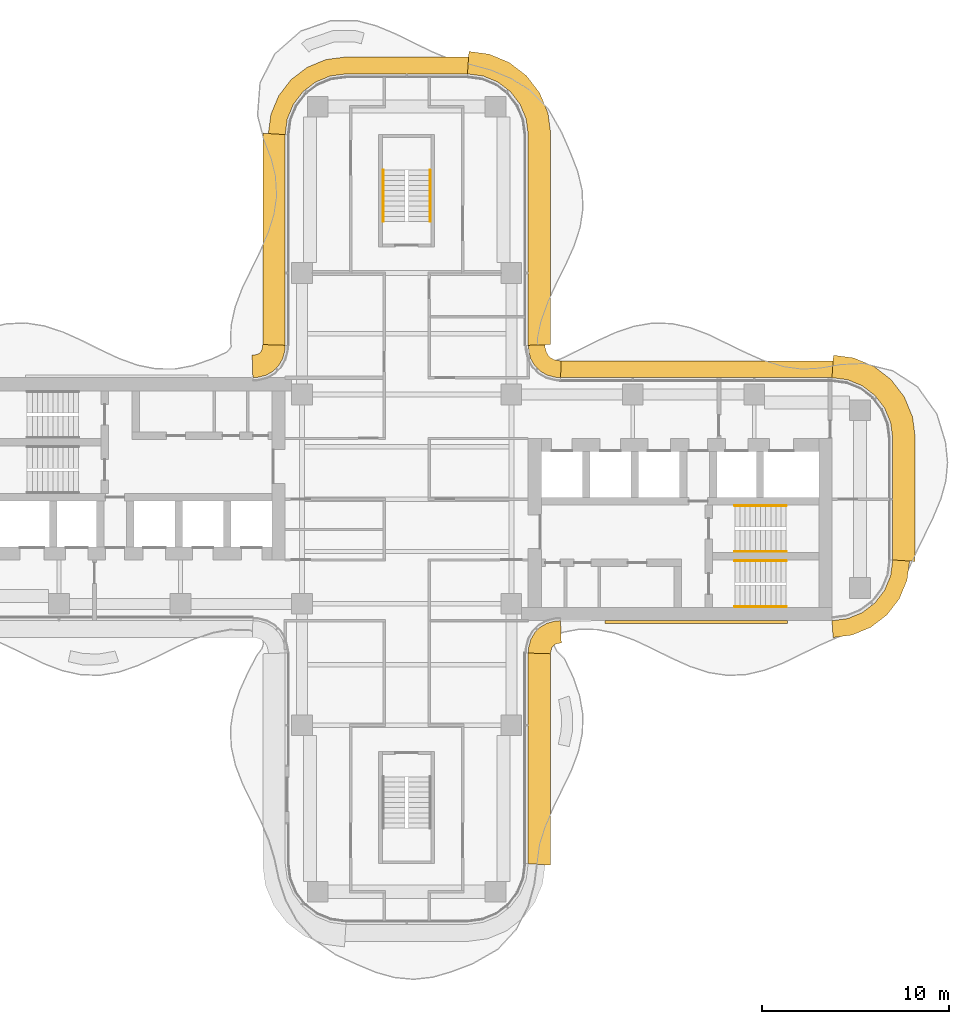
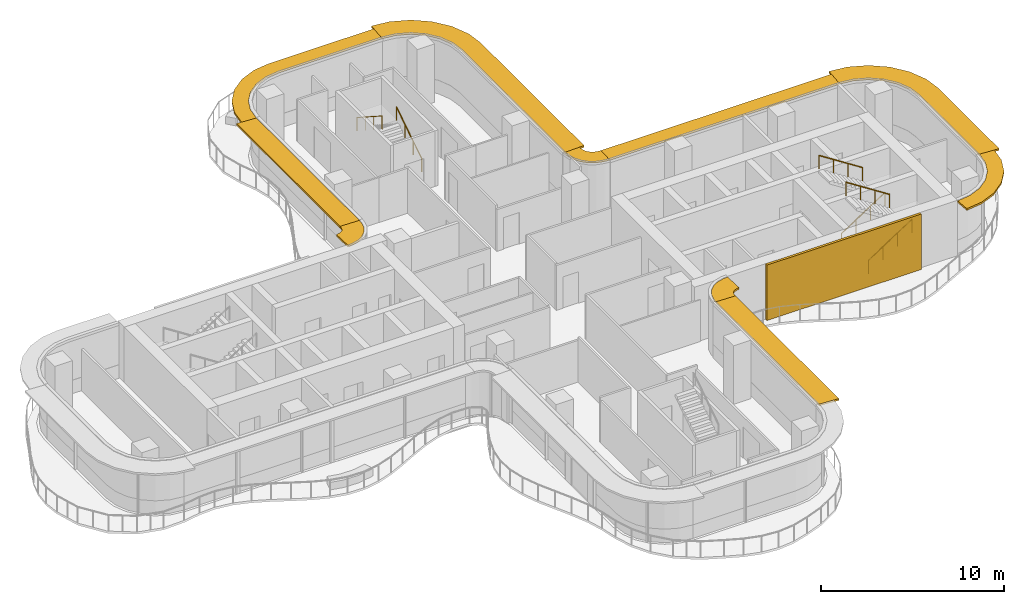
# One storey, part 16 of 16: 10 shading devices, 6 railings, 1 covering.
"""IFC4 building model written with IfcOpenShell, lengths in metres."""

from ifc_helpers import new_model, si_unit, direction, frame, origin, origin_2d, place, context, subcontext, project, spatial, polyline, circle, outline, extrude, source, transform, mapped, material, layer, layer_set, type_object, element, save


model = new_model("IFC4")

# Units and contexts
model_context = context("Model", 3, precision=1e-05, world=origin(), true_north=direction((0.0, 1.0)))
body_context = subcontext(model_context, "Body", "Model", "MODEL_VIEW")
ifc_project = project(units=[si_unit("LENGTHUNIT", "METRE"), si_unit("AREAUNIT", "SQUARE_METRE"), si_unit("VOLUMEUNIT", "CUBIC_METRE"), si_unit("PLANEANGLEUNIT", "RADIAN"), si_unit("MASSUNIT", "GRAM", prefix="KILO")], contexts=[model_context])

# Site, building, storey
site_placement = place(None, origin())
site = spatial("IfcSite", under=ifc_project, at=site_placement, CompositionType="ELEMENT")
building_placement = place(site_placement, origin())
building = spatial("IfcBuilding", under=site, at=building_placement, Name="Trellis Farm Tower", CompositionType="ELEMENT")
storey_placement = place(building_placement, frame((0.0, 0.0, 248.0)))
storey = spatial("IfcBuildingStorey", under=building, at=storey_placement, Name="L55", CompositionType="ELEMENT", Elevation=248.0)

# Railings
ifc_material_1 = material(Name="Stainless steel", Category="steel")
railing_type = type_object("IfcRailingType", Name="STAIR HANDRAIL 900", PredefinedType="HANDRAIL", material=ifc_material_1)
shared_shape_1 = source(origin(), body_context, "Body", "SweptSolid", [
    extrude(circle(Radius=0.02392578125, at=origin_2d()), frame((0.0, 0.0, 0.8759765625), z_axis=(0.0, 0.840503830235, 0.541805602924), x_axis=(-1.0, 0.0, 0.0)), (0.0, 0.0, 1.0), 3.271728515625),
    extrude(circle(Radius=0.02099609375, at=origin_2d()), origin(), (0.0, 0.0, 1.0), 0.851806640625),
    extrude(circle(Radius=0.02099609375, at=origin_2d()), frame((0.0, 0.916748046875, 0.5908203125)), (0.0, 0.0, 1.0), 0.851806640625),
    extrude(circle(Radius=0.02099609375, at=origin_2d()), frame((0.0, 1.833251953125, 1.181884765625)), (0.0, 0.0, 1.0), 0.851806640625),
    extrude(circle(Radius=0.02099609375, at=origin_2d()), frame((0.0, 2.75, 1.772705078125)), (0.0, 0.0, 1.0), 0.851806640625),
])
railing_1_placement = place(storey_placement, frame((1.25, 14.85009765625, 0.17724609375)))
element("IfcRailing", 1, at=railing_1_placement, inside=storey, type_object=railing_type, Name="Stair handrail", PredefinedType="HANDRAIL", context=body_context, shape_type="MappedRepresentation", body=[
    mapped(shared_shape_1, transform((0.0, 0.0, 0.0))),
])
shared_shape_2 = source(origin(), body_context, "Body", "SweptSolid", [
    extrude(circle(Radius=0.02392578125, at=origin_2d()), frame((0.0, 0.0, 0.8759765625), z_axis=(0.0, -0.840503830235, 0.541805602924), x_axis=(1.0, 0.0, 0.0)), (0.0, 0.0, 1.0), 3.271728515625),
    extrude(circle(Radius=0.02099609375, at=origin_2d()), origin(), (0.0, 0.0, 1.0), 0.851806640625),
    extrude(circle(Radius=0.02099609375, at=origin_2d()), frame((0.0, -0.916748046875, 0.5908203125)), (0.0, 0.0, 1.0), 0.851806640625),
    extrude(circle(Radius=0.02099609375, at=origin_2d()), frame((0.0, -1.833251953125, 1.181884765625)), (0.0, 0.0, 1.0), 0.851806640625),
    extrude(circle(Radius=0.02099609375, at=origin_2d()), frame((0.0, -2.75, 1.772705078125)), (0.0, 0.0, 1.0), 0.851806640625),
])
railing_2_placement = place(storey_placement, frame((-1.25, 17.60009765625, 2.127197265625)))
element("IfcRailing", 2, at=railing_2_placement, inside=storey, type_object=railing_type, Name="Stair handrail", PredefinedType="HANDRAIL", context=body_context, shape_type="MappedRepresentation", body=[
    mapped(shared_shape_2, transform((0.0, 0.0, 0.0))),
])
shared_shape_3 = source(origin(), body_context, "Body", "SweptSolid", [
    extrude(circle(Radius=0.02392578125, at=origin_2d()), frame((0.0, 0.0, 0.8759765625), z_axis=(0.840503830235, 0.0, 0.541805602924), x_axis=(0.0, 1.0, 0.0)), (0.0, 0.0, 1.0), 3.271728515625),
    extrude(circle(Radius=0.02099609375, at=origin_2d()), origin(), (0.0, 0.0, 1.0), 0.851806640625),
    extrude(circle(Radius=0.02099609375, at=origin_2d()), frame((0.916748046875, 0.0, 0.5908203125)), (0.0, 0.0, 1.0), 0.851806640625),
    extrude(circle(Radius=0.02099609375, at=origin_2d()), frame((1.833251953125, 0.0, 1.181884765625)), (0.0, 0.0, 1.0), 0.851806640625),
    extrude(circle(Radius=0.02099609375, at=origin_2d()), frame((2.75, 0.0, 1.772705078125)), (0.0, 0.0, 1.0), 0.851806640625),
])
for number, where, name in (
    (3, (17.550048828125, -5.75, 0.17724609375), "Stair handrail"),
    (4, (17.550048828125, -2.800048828125, 0.17724609375), "Stair handrail"),
):
    element("IfcRailing", number, at=place(storey_placement, frame(where)), inside=storey, type_object=railing_type, Name=name, PredefinedType="HANDRAIL", context=body_context, shape_type="MappedRepresentation", body=[
        mapped(shared_shape_3, transform((0.0, 0.0, 0.0))),
    ])
shared_shape_4 = source(origin(), body_context, "Body", "SweptSolid", [
    extrude(circle(Radius=0.02392578125, at=origin_2d()), frame((0.0, 0.0, 0.8759765625), z_axis=(-0.840503830235, 0.0, 0.541805602924), x_axis=(0.0, -1.0, 0.0)), (0.0, 0.0, 1.0), 3.271728515625),
    extrude(circle(Radius=0.02099609375, at=origin_2d()), origin(), (0.0, 0.0, 1.0), 0.851806640625),
    extrude(circle(Radius=0.02099609375, at=origin_2d()), frame((-0.916748046875, 0.0, 0.5908203125)), (0.0, 0.0, 1.0), 0.851806640625),
    extrude(circle(Radius=0.02099609375, at=origin_2d()), frame((-1.833251953125, 0.0, 1.181884765625)), (0.0, 0.0, 1.0), 0.851806640625),
    extrude(circle(Radius=0.02099609375, at=origin_2d()), frame((-2.75, 0.0, 1.772705078125)), (0.0, 0.0, 1.0), 0.851806640625),
])
for number, where, name in (
    (5, (20.300048828125, -3.300048828125, 2.127197265625), "Stair handrail"),
    (6, (20.300048828125, -0.35009765625, 2.127197265625), "Stair handrail"),
):
    element("IfcRailing", number, at=place(storey_placement, frame(where)), inside=storey, type_object=railing_type, Name=name, PredefinedType="HANDRAIL", context=body_context, shape_type="MappedRepresentation", body=[
        mapped(shared_shape_4, transform((0.0, 0.0, 0.0))),
    ])

# Shading devices
ifc_material_2 = material(Name="Aluminium extrusion 6063-T6", Category="aluminium")
ifc_layer_1 = layer(ifc_material_2, 0.1201171875)
ifc_layer_set_1 = layer_set([ifc_layer_1], Name="SUNSHADE BLADE 1200")
shading_device_type_1 = type_object("IfcShadingDeviceType", Name="SUNSHADE BLADE 1200", PredefinedType="USERDEFINED", material=ifc_layer_set_1)
shared_shape_5 = source(origin(), body_context, "Body", "SweptSolid", [
    extrude(outline(polyline([(7.699951171875, -8.270751953125), (7.708740234375, -8.13720703125), (7.70703125, -8.150146484375), (7.7548828125, -7.9716796875), (7.80712890625, -7.881103515625), (7.881103515625, -7.80712890625), (7.9716796875, -7.7548828125), (8.150146484375, -7.70703125), (8.13720703125, -7.708740234375), (8.270751953125, -7.699951171875), (8.2314453125, -6.5), (8.01953125, -6.513916015625), (7.91552734375, -6.527587890625), (7.508544921875, -6.63671875), (7.144287109375, -6.846923828125), (6.846923828125, -7.144287109375), (6.63671875, -7.508544921875), (6.527587890625, -7.91552734375), (6.513916015625, -8.01953125), (6.5, -8.2314453125), (7.699951171875, -8.270751953125)])), origin(), (0.0, 0.0, 1.0), 0.119873046875),
])
placement = place(storey_placement, frame((0.0, 0.0, 3.5400390625)))
element("IfcShadingDevice", 7, at=placement, inside=storey, type_object=shading_device_type_1, Name="SD2 006", ObjectType="SUNSHADE", PredefinedType="USERDEFINED", context=body_context, shape_type="MappedRepresentation", body=[
    mapped(shared_shape_5, transform((0.0, 0.0, 0.0))),
])
ifc_layer_2 = layer(ifc_material_2, 0.1201171875)
ifc_layer_set_2 = layer_set([ifc_layer_2], Name="SUNSHADE BLADE 900")
shading_device_type_2 = type_object("IfcShadingDeviceType", Name="SUNSHADE BLADE 900", PredefinedType="USERDEFINED", material=ifc_layer_set_2)
shared_shape_6 = source(origin(), body_context, "Body", "SweptSolid", [
    extrude(outline(polyline([(8.2607421875, 7.39990234375), (8.107666015625, 7.409912109375), (8.091552734375, 7.412109375), (7.85595703125, 7.475341796875), (7.697021484375, 7.567138671875), (7.567138671875, 7.697021484375), (7.475341796875, 7.85595703125), (7.412109375, 8.091552734375), (7.409912109375, 8.107666015625), (7.39990234375, 8.2607421875), (6.5, 8.2314453125), (6.513916015625, 8.01953125), (6.527587890625, 7.91552734375), (6.63671875, 7.508544921875), (6.846923828125, 7.144287109375), (7.144287109375, 6.846923828125), (7.508544921875, 6.63671875), (7.91552734375, 6.527587890625), (8.01953125, 6.513916015625), (8.2314453125, 6.5), (8.2607421875, 7.39990234375)])), origin(), (0.0, 0.0, 1.0), 0.119873046875),
])
element("IfcShadingDevice", 8, at=placement, inside=storey, type_object=shading_device_type_2, Name="SD1 010", ObjectType="SUNSHADE", PredefinedType="USERDEFINED", context=body_context, shape_type="MappedRepresentation", body=[
    mapped(shared_shape_6, transform((0.0, 0.0, 0.0))),
])
shared_shape_7 = source(origin(), body_context, "Body", "SweptSolid", [
    extrude(outline(polyline([(-7.699951171875, 8.270751953125), (-7.708740234375, 8.13720703125), (-7.70703125, 8.150146484375), (-7.7548828125, 7.9716796875), (-7.80712890625, 7.881103515625), (-7.881103515625, 7.80712890625), (-7.9716796875, 7.7548828125), (-8.150146484375, 7.70703125), (-8.13720703125, 7.708740234375), (-8.270751953125, 7.699951171875), (-8.2314453125, 6.5), (-8.01953125, 6.513916015625), (-7.91552734375, 6.527587890625), (-7.508544921875, 6.63671875), (-7.144287109375, 6.846923828125), (-6.846923828125, 7.144287109375), (-6.63671875, 7.508544921875), (-6.527587890625, 7.91552734375), (-6.513916015625, 8.01953125), (-6.5, 8.2314453125), (-7.699951171875, 8.270751953125)])), origin(), (0.0, 0.0, 1.0), 0.119873046875),
])
element("IfcShadingDevice", 9, at=placement, inside=storey, type_object=shading_device_type_1, Name="SD2 014", ObjectType="SUNSHADE", PredefinedType="USERDEFINED", context=body_context, shape_type="MappedRepresentation", body=[
    mapped(shared_shape_7, transform((0.0, 0.0, 0.0))),
])
shared_shape_8 = source(origin(), body_context, "Body", "SweptSolid", [
    extrude(outline(polyline([(7.699951171875, 8.270751953125), (7.699951171875, 19.57861328125), (7.558349609375, 20.654541015625), (7.11279296875, 21.730224609375), (6.404052734375, 22.654052734375), (5.480224609375, 23.36279296875), (4.404541015625, 23.808349609375), (3.32861328125, 23.949951171875), (3.25, 22.75), (4.091064453125, 22.63916015625), (4.875, 22.314697265625), (5.548095703125, 21.798095703125), (6.064697265625, 21.125), (6.38916015625, 20.341064453125), (6.5, 19.5), (6.5, 8.2314453125), (7.699951171875, 8.270751953125)])), origin(), (0.0, 0.0, 1.0), 0.119873046875),
])
element("IfcShadingDevice", 10, at=placement, inside=storey, type_object=shading_device_type_1, Name="SD2 011", ObjectType="SUNSHADE", PredefinedType="USERDEFINED", context=body_context, shape_type="MappedRepresentation", body=[
    mapped(shared_shape_8, transform((0.0, 0.0, 0.0))),
])
shared_shape_9 = source(origin(), body_context, "Body", "SweptSolid", [
    extrude(outline(polyline([(3.30908203125, 23.64990234375), (-3.30908203125, 23.64990234375), (-4.326171875, 23.51611328125), (-5.328857421875, 23.100830078125), (-6.18994140625, 22.43994140625), (-6.850830078125, 21.578857421875), (-7.26611328125, 20.576171875), (-7.39990234375, 19.55908203125), (-6.5, 19.5), (-6.38916015625, 20.341064453125), (-6.064697265625, 21.125), (-5.548095703125, 21.798095703125), (-4.875, 22.314697265625), (-4.091064453125, 22.63916015625), (-3.25, 22.75), (3.25, 22.75), (3.30908203125, 23.64990234375)])), origin(), (0.0, 0.0, 1.0), 0.119873046875),
])
element("IfcShadingDevice", 11, at=placement, inside=storey, type_object=shading_device_type_2, Name="SD1 012", ObjectType="SUNSHADE", PredefinedType="USERDEFINED", context=body_context, shape_type="MappedRepresentation", body=[
    mapped(shared_shape_9, transform((0.0, 0.0, 0.0))),
])
shared_shape_10 = source(origin(), body_context, "Body", "SweptSolid", [
    extrude(outline(polyline([(-7.699951171875, 19.57861328125), (-7.699951171875, 8.270751953125), (-6.5, 8.2314453125), (-6.5, 19.5), (-7.699951171875, 19.57861328125)])), origin(), (0.0, 0.0, 1.0), 0.119873046875),
])
element("IfcShadingDevice", 12, at=placement, inside=storey, type_object=shading_device_type_1, Name="SD2 013", ObjectType="SUNSHADE", PredefinedType="USERDEFINED", context=body_context, shape_type="MappedRepresentation", body=[
    mapped(shared_shape_10, transform((0.0, 0.0, 0.0))),
])

# Covering
ifc_material_3 = material(Name="Perforated precast screen (cobogo)", Category="concrete")
ifc_layer_3 = layer(ifc_material_3, 0.14990234375)
ifc_layer_set_3 = layer_set([ifc_layer_3], Name="COBOGO SCREEN PANEL")
covering_type = type_object("IfcCoveringType", Name="COBOGO SCREEN PANEL", PredefinedType="USERDEFINED", material=ifc_layer_set_3)
shared_shape_11 = source(origin(), body_context, "Body", "SweptSolid", [
    extrude(outline(polyline([(10.61572265625, -6.64990234375), (20.36572265625, -6.64990234375), (20.36572265625, -6.5), (10.61572265625, -6.5), (10.61572265625, -6.64990234375)])), origin(), (0.0, 0.0, 1.0), 3.699951171875),
])
covering_placement = place(storey_placement, origin())
element("IfcCovering", 13, at=covering_placement, inside=storey, type_object=covering_type, Name="SC1 01", ObjectType="SCREEN", PredefinedType="USERDEFINED", context=body_context, shape_type="MappedRepresentation", body=[
    mapped(shared_shape_11, transform((0.0, 0.0, 0.0))),
])

# Shading devices
shared_shape_12 = source(origin(), body_context, "Body", "SweptSolid", [
    extrude(outline(polyline([(22.80908203125, -7.39990234375), (23.826171875, -7.26611328125), (24.828857421875, -6.850830078125), (25.68994140625, -6.18994140625), (26.350830078125, -5.328857421875), (26.76611328125, -4.326171875), (26.89990234375, -3.30908203125), (26.0, -3.25), (25.88916015625, -4.091064453125), (25.564697265625, -4.875), (25.048095703125, -5.548095703125), (24.375, -6.064697265625), (23.591064453125, -6.38916015625), (22.75, -6.5), (22.80908203125, -7.39990234375)])), origin(), (0.0, 0.0, 1.0), 0.119873046875),
])
element("IfcShadingDevice", 14, at=placement, inside=storey, type_object=shading_device_type_2, Name="SD1 007", ObjectType="SUNSHADE", PredefinedType="USERDEFINED", context=body_context, shape_type="MappedRepresentation", body=[
    mapped(shared_shape_12, transform((0.0, 0.0, 0.0))),
])
shared_shape_13 = source(origin(), body_context, "Body", "SweptSolid", [
    extrude(outline(polyline([(27.199951171875, -3.32861328125), (27.199951171875, 3.32861328125), (27.058349609375, 4.404541015625), (26.61279296875, 5.480224609375), (25.904052734375, 6.404052734375), (24.980224609375, 7.11279296875), (23.904541015625, 7.558349609375), (22.82861328125, 7.699951171875), (22.75, 6.5), (23.591064453125, 6.38916015625), (24.375, 6.064697265625), (25.048095703125, 5.548095703125), (25.564697265625, 4.875), (25.88916015625, 4.091064453125), (26.0, 3.25), (26.0, -3.25), (27.199951171875, -3.32861328125)])), origin(), (0.0, 0.0, 1.0), 0.119873046875),
])
element("IfcShadingDevice", 15, at=placement, inside=storey, type_object=shading_device_type_1, Name="SD2 008", ObjectType="SUNSHADE", PredefinedType="USERDEFINED", context=body_context, shape_type="MappedRepresentation", body=[
    mapped(shared_shape_13, transform((0.0, 0.0, 0.0))),
])
shared_shape_14 = source(origin(), body_context, "Body", "SweptSolid", [
    extrude(outline(polyline([(22.80908203125, 7.39990234375), (8.2607421875, 7.39990234375), (8.2314453125, 6.5), (22.75, 6.5), (22.80908203125, 7.39990234375)])), origin(), (0.0, 0.0, 1.0), 0.119873046875),
])
element("IfcShadingDevice", 16, at=placement, inside=storey, type_object=shading_device_type_2, Name="SD1 009", ObjectType="SUNSHADE", PredefinedType="USERDEFINED", context=body_context, shape_type="MappedRepresentation", body=[
    mapped(shared_shape_14, transform((0.0, 0.0, 0.0))),
])
shared_shape_15 = source(origin(), body_context, "Body", "SweptSolid", [
    extrude(outline(polyline([(7.699951171875, -19.57861328125), (7.699951171875, -8.270751953125), (6.5, -8.2314453125), (6.5, -19.5), (7.699951171875, -19.57861328125)])), origin(), (0.0, 0.0, 1.0), 0.119873046875),
])
element("IfcShadingDevice", 17, at=placement, inside=storey, type_object=shading_device_type_1, Name="SD2 005", ObjectType="SUNSHADE", PredefinedType="USERDEFINED", context=body_context, shape_type="MappedRepresentation", body=[
    mapped(shared_shape_15, transform((0.0, 0.0, 0.0))),
])

save(model, "model.ifc")
